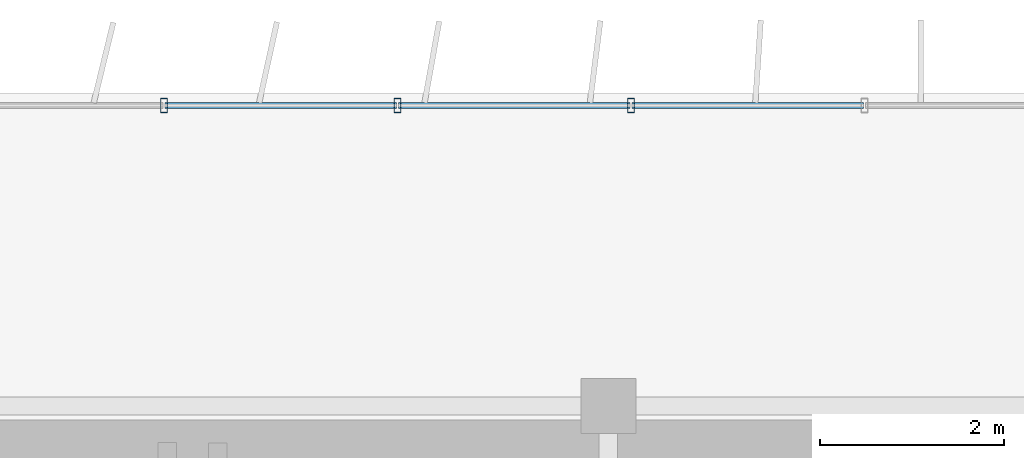
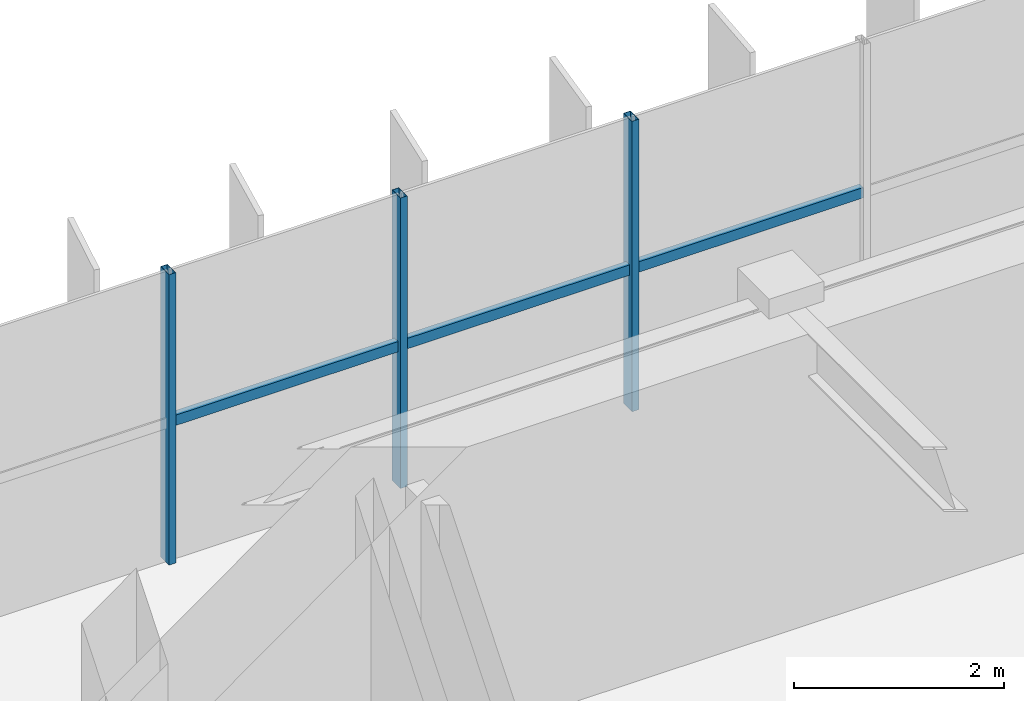
# One storey, part 8 of 21: 6 members, 1 element without a shape of its own.
"""IFC4 building model written with IfcOpenShell, lengths in metres."""

from ifc_helpers import new_model, si_unit, direction, frame, origin, origin_2d, place, context, subcontext, project, spatial, hollow_rectangle, extrude, source, transform, mapped, material, material_profile, profile_set, type_object, element, aggregate, save


model = new_model("IFC4")

# Units and contexts
model_context = context("Model", 3, precision=1e-05, world=origin(), true_north=direction((0.0, 1.0)))
body_context = subcontext(model_context, "Body", "Model", "MODEL_VIEW")
ifc_project = project(units=[si_unit("LENGTHUNIT", "METRE"), si_unit("AREAUNIT", "SQUARE_METRE"), si_unit("VOLUMEUNIT", "CUBIC_METRE"), si_unit("PLANEANGLEUNIT", "RADIAN"), si_unit("MASSUNIT", "GRAM", prefix="KILO")], contexts=[model_context])

# Site, building, storey
site_placement = place(None, origin())
site = spatial("IfcSite", under=ifc_project, at=site_placement, CompositionType="ELEMENT")
building_placement = place(site_placement, origin())
building = spatial("IfcBuilding", under=site, at=building_placement, Name="Trelvane Seafront Commons", CompositionType="ELEMENT")
storey_placement = place(building_placement, frame((0.0, 0.0, 248.699951171875)))
storey = spatial("IfcBuildingStorey", under=building, at=storey_placement, Name="L64", CompositionType="ELEMENT", Elevation=248.699951171875)

# Curtain wall, members
ifc_material = material(Name="Anodised pale-silver aluminium", Category="aluminium")
curtain_wall_type = type_object("IfcCurtainWallType", Name="ARCH-CW5-UPTOWER", PredefinedType="NOTDEFINED", material=ifc_material)
curtain_wall_placement = place(storey_placement, origin())
curtain_wall = element("IfcCurtainWall", 1, at=curtain_wall_placement, inside=storey, type_object=curtain_wall_type, Name="CW-L64-0108", PredefinedType="NOTDEFINED")
ifc_material_profile_1 = material_profile(ifc_material, hollow_rectangle(XDim=0.070068359375, YDim=0.1201171875, WallThickness=0.00390625, at=origin_2d()), Name="TRAN-70x120x4")
ifc_profile_set_1 = profile_set([ifc_material_profile_1], Name="Anodised pale-silver aluminium")
member_type_1 = type_object("IfcMemberType", Name="ARCH-CW-TRAN-120", PredefinedType="USERDEFINED", material=ifc_profile_set_1)
shared_shape_1 = source(origin(), body_context, "Body", "SweptSolid", [
    extrude(hollow_rectangle(XDim=0.070068359375, YDim=0.1201171875, WallThickness=0.00390625, at=origin_2d()), origin(), (0.0, 0.0, 1.0), 2.51708984375),
])
member_1_placement = place(storey_placement, frame((30.859130859375, 48.3701171875, 1.6181640625), z_axis=(1.0, 0.0, 0.0), x_axis=(0.0, 1.0, 0.0)))
member_1 = element("IfcMember", 2, at=member_1_placement, type_object=member_type_1, Name="CW-L64-0108-T06", ObjectType="TRANSOM", PredefinedType="USERDEFINED", context=body_context, shape_type="MappedRepresentation", body=[
    mapped(shared_shape_1, transform((0.0, 0.0, 0.0), x_axis=(1.0, 0.0, 0.0), y_axis=(0.0, 1.0, 0.0), z_axis=(0.0, 0.0, 1.0), scale=1.0)),
])
shared_shape_2 = source(origin(), body_context, "Body", "SweptSolid", [
    extrude(hollow_rectangle(XDim=0.070068359375, YDim=0.1201171875, WallThickness=0.00390625, at=origin_2d()), origin(), (0.0, 0.0, 1.0), 2.517333984375),
])
member_2_placement = place(storey_placement, frame((25.776611328125, 48.3701171875, 1.6181640625), z_axis=(1.0, 0.0, 0.0), x_axis=(0.0, 1.0, 0.0)))
member_2 = element("IfcMember", 3, at=member_2_placement, type_object=member_type_1, Name="CW-L64-0108-T04", ObjectType="TRANSOM", PredefinedType="USERDEFINED", context=body_context, shape_type="MappedRepresentation", body=[
    mapped(shared_shape_2, transform((0.0, 0.0, 0.0), x_axis=(1.0, 0.0, 0.0), y_axis=(0.0, 1.0, 0.0), z_axis=(0.0, 0.0, 1.0), scale=1.0)),
])
member_3_placement = place(storey_placement, frame((28.31787109375, 48.3701171875, 1.6181640625), z_axis=(1.0, 0.0, 0.0), x_axis=(0.0, 1.0, 0.0)))
member_3 = element("IfcMember", 4, at=member_3_placement, type_object=member_type_1, Name="CW-L64-0108-T05", ObjectType="TRANSOM", PredefinedType="USERDEFINED", context=body_context, shape_type="MappedRepresentation", body=[
    mapped(shared_shape_2, transform((0.0, 0.0, 0.0), x_axis=(1.0, 0.0, 0.0), y_axis=(0.0, 1.0, 0.0), z_axis=(0.0, 0.0, 1.0), scale=1.0)),
])
ifc_material_profile_2 = material_profile(ifc_material, hollow_rectangle(XDim=0.074951171875, YDim=0.159912109375, WallThickness=0.00390625, at=origin_2d()), Name="MULL-75x160x4")
ifc_profile_set_2 = profile_set([ifc_material_profile_2], Name="Anodised pale-silver aluminium")
member_type_2 = type_object("IfcMemberType", Name="ARCH-CW-MULL-160", PredefinedType="MULLION", material=ifc_profile_set_2)
shared_shape_3 = source(origin(), body_context, "Body", "SweptSolid", [
    extrude(hollow_rectangle(XDim=0.074951171875, YDim=0.159912109375, WallThickness=0.00390625, at=origin_2d()), origin(), (0.0, 0.0, 1.0), 3.3701171875),
])
member_4_placement = place(storey_placement, frame((25.7646484375, 48.3701171875, 0.0), z_axis=(0.0, 0.0, 1.0), x_axis=(1.0, 0.0, 0.0)))
member_4 = element("IfcMember", 5, at=member_4_placement, type_object=member_type_2, Name="CW-L64-0108-M04", PredefinedType="MULLION", context=body_context, shape_type="MappedRepresentation", body=[
    mapped(shared_shape_3, transform((0.0, 0.0, 0.0), x_axis=(1.0, 0.0, 0.0), y_axis=(0.0, 1.0, 0.0), z_axis=(0.0, 0.0, 1.0), scale=1.0)),
])
member_5_placement = place(storey_placement, frame((28.305908203125, 48.3701171875, 0.0), z_axis=(0.0, 0.0, 1.0), x_axis=(1.0, 0.0, 0.0)))
member_5 = element("IfcMember", 6, at=member_5_placement, type_object=member_type_2, Name="CW-L64-0108-M05", PredefinedType="MULLION", context=body_context, shape_type="MappedRepresentation", body=[
    mapped(shared_shape_3, transform((0.0, 0.0, 0.0), x_axis=(1.0, 0.0, 0.0), y_axis=(0.0, 1.0, 0.0), z_axis=(0.0, 0.0, 1.0), scale=1.0)),
])
member_6_placement = place(storey_placement, frame((30.84716796875, 48.3701171875, 0.0), z_axis=(0.0, 0.0, 1.0), x_axis=(1.0, 0.0, 0.0)))
member_6 = element("IfcMember", 7, at=member_6_placement, type_object=member_type_2, Name="CW-L64-0108-M06", PredefinedType="MULLION", context=body_context, shape_type="MappedRepresentation", body=[
    mapped(shared_shape_3, transform((0.0, 0.0, 0.0), x_axis=(1.0, 0.0, 0.0), y_axis=(0.0, 1.0, 0.0), z_axis=(0.0, 0.0, 1.0), scale=1.0)),
])
aggregate(curtain_wall, [member_4, member_5, member_6, member_2, member_3, member_1])

save(model, "model.ifc")
